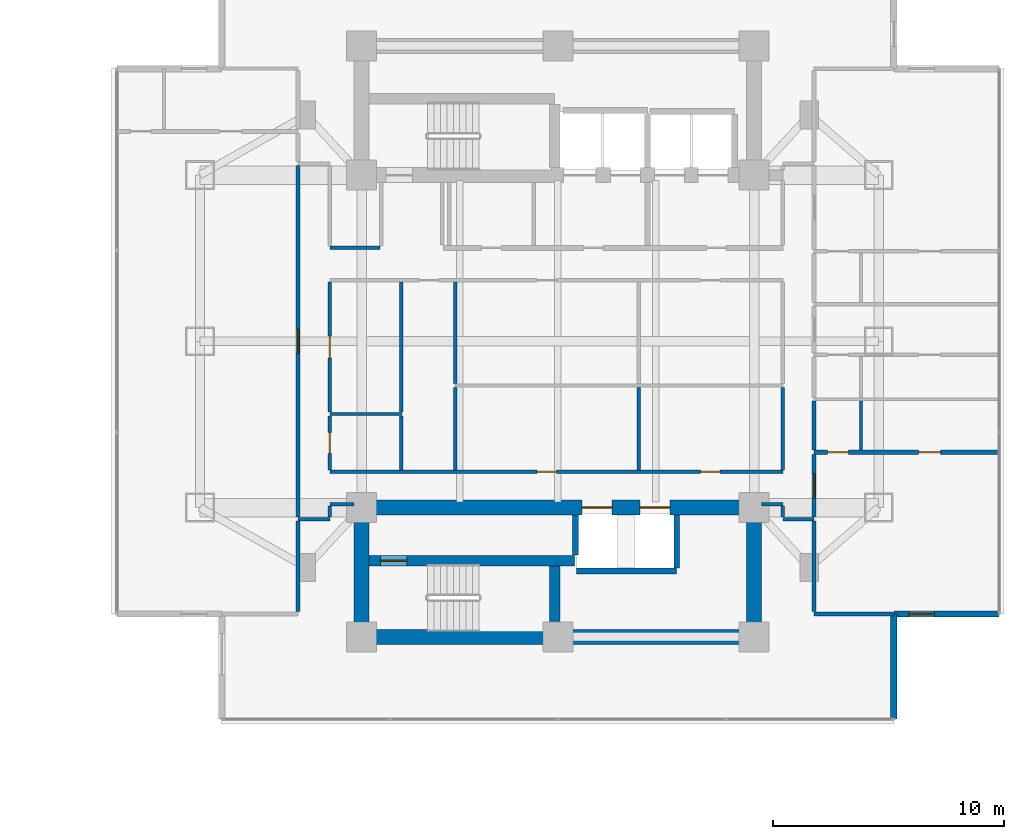
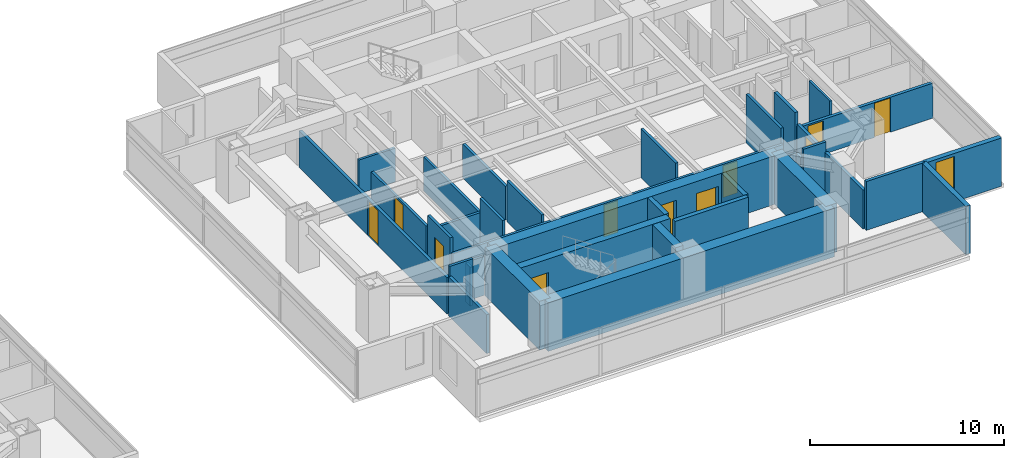
# One storey, part 18 of 27: 36 walls, 11 doors, 1 window, 12 openings.
"""IFC4 building model written with IfcOpenShell, lengths in metres."""

from ifc_helpers import new_model, si_unit, direction, frame, frame_2d, origin, place, context, subcontext, project, spatial, rectangle, extrude, material, layer, layer_set, type_object, element, fill, save


model = new_model("IFC4")

# Units and contexts
model_context = context("Model", 3, precision=1e-05, world=origin(), true_north=direction((0.0, 1.0)))
body_context = subcontext(model_context, "Body", "Model", "MODEL_VIEW")
ifc_project = project(units=[si_unit("LENGTHUNIT", "METRE"), si_unit("AREAUNIT", "SQUARE_METRE"), si_unit("VOLUMEUNIT", "CUBIC_METRE"), si_unit("PLANEANGLEUNIT", "RADIAN"), si_unit("MASSUNIT", "GRAM", prefix="KILO")], contexts=[model_context])

# Site, building, storey
site_placement = place(None, origin())
site = spatial("IfcSite", under=ifc_project, at=site_placement, CompositionType="ELEMENT")
building_placement = place(site_placement, origin())
building = spatial("IfcBuilding", under=site, at=building_placement, Name="Mirazonda Arch Towers", CompositionType="ELEMENT")
storey_placement = place(building_placement, frame((0.0, 0.0, 75.199951171875)))
storey = spatial("IfcBuildingStorey", under=building, at=storey_placement, Name="L21", CompositionType="ELEMENT", Elevation=75.199951171875)

# Wall, opening, door
ifc_material_1 = material(Name="Concrete C50/60", Category="concrete")
ifc_layer_1 = layer(ifc_material_1, 0.449951171875, Name="WALL-CORE-450")
ifc_layer_set_1 = layer_set([ifc_layer_1], Name="Concrete C50/60")
wall_type_1 = type_object("IfcWallType", Name="WALL-CORE-450", PredefinedType="SHEAR", material=ifc_layer_set_1)
wall_1_placement = place(storey_placement, frame((68.320068359375, 18.5, 0.0), z_axis=(0.0, 0.0, 1.0), x_axis=(1.0, 0.0, 0.0)))
wall_1 = element("IfcWall", 1, at=wall_1_placement, inside=storey, type_object=wall_type_1, Name="L21 Stair Core Shear Wall 014", PredefinedType="SHEAR", context=body_context, shape_type="SweptSolid", body=[
    extrude(rectangle(XDim=8.89990234375, YDim=0.449951171875, at=frame_2d((4.449951171875, 0.0))), origin(), (0.0, 0.0, 1.0), 3.06005859375),
])
opening_1_placement = place(wall_1_placement, frame((0.4951171875, 0.0, 0.0)))
opening_1 = element("IfcOpeningElement", 2, at=opening_1_placement, cuts=wall_1, Name="Opening DR-135", PredefinedType="OPENING", context=body_context, shape_type="SweptSolid", body=[
    extrude(rectangle(XDim=1.14990234375, YDim=2.199951171875, at=frame_2d((0.574951171875, 1.10009765625))), frame((0.0, 0.23486328125, 0.0), z_axis=(0.0, -1.0, 0.0), x_axis=(1.0, 0.0, 0.0)), (0.0, 0.0, 1.0), 0.469970703125),
])
ifc_material_2 = material(Name="Architectural Brushed Steel S355", Category="steel")
door_type_1 = type_object("IfcDoorType", Name="DOOR-STAIR-FD90-1150", OperationType="NOTDEFINED", PredefinedType="DOOR", material=ifc_material_2)
door_1_placement = place(opening_1_placement, origin())
door_1 = element("IfcDoor", 3, at=door_1_placement, inside=storey, type_object=door_type_1, Name="L21 East Protected Stair South Door", OperationType="SINGLE_SWING_LEFT", OverallHeight=2.199951171875, OverallWidth=1.14990234375, PredefinedType="DOOR", context=body_context, shape_type="SweptSolid", body=[
    extrude(rectangle(XDim=1.14990234375, YDim=2.199951171875, at=frame_2d((0.574951171875, 1.10009765625))), frame((0.0, 0.02490234375, 0.0), z_axis=(0.0, -1.0, 0.0), x_axis=(1.0, 0.0, 0.0)), (0.0, 0.0, 1.0), 0.050048828125),
])
fill(opening_1, door_1)

# Walls
wall_2_placement = place(storey_placement, frame((76.360107421875, 15.864990234375, 0.0), z_axis=(0.0, 0.0, 1.0), x_axis=(0.0, 1.0, 0.0)))
element("IfcWall", 4, at=wall_2_placement, inside=storey, type_object=wall_type_1, Name="L21 Stair Core Shear Wall 123", PredefinedType="SHEAR", context=body_context, shape_type="SweptSolid", body=[
    extrude(rectangle(XDim=2.39990234375, YDim=0.449951171875, at=frame_2d((1.199951171875, 0.0))), origin(), (0.0, 0.0, 1.0), 3.06005859375),
])
ifc_material_3 = material(Name="Concrete C60/75", Category="concrete")
ifc_layer_2 = layer(ifc_material_3, 0.64990234375, Name="WALL-CORE-650")
ifc_layer_set_2 = layer_set([ifc_layer_2], Name="Concrete C60/75")
wall_type_2 = type_object("IfcWallType", Name="WALL-CORE-650", PredefinedType="SHEAR", material=ifc_layer_set_2)
wall_3_placement = place(storey_placement, frame((68.0, 15.199951171875, 0.0), z_axis=(0.0, 0.0, 1.0), x_axis=(1.0, 0.0, 0.0)))
element("IfcWall", 5, at=wall_3_placement, inside=storey, type_object=wall_type_2, Name="L21 T2S-S Core Shear Wall", PredefinedType="SHEAR", context=body_context, shape_type="SweptSolid", body=[
    extrude(rectangle(XDim=17.0, YDim=0.64990234375, at=frame_2d((8.5, 0.0))), origin(), (0.0, 0.0, 1.0), 3.06005859375),
])
for number, where, z_axis, x_axis, name in (
    (6, (68.0, 15.199951171875, 0.0), (0.0, 0.0, 1.0), (0.0, 1.0, 0.0), "L21 T2S-W Core Shear Wall"),
    (7, (85.0, 15.199951171875, 0.0), (0.0, 0.0, 1.0), (0.0, 1.0, 0.0), "L21 T2S-E Core Shear Wall"),
):
    element("IfcWall", number, at=place(storey_placement, frame(where, z_axis=z_axis, x_axis=x_axis)), inside=storey, type_object=wall_type_2, Name=name, PredefinedType="SHEAR", context=body_context, shape_type="SweptSolid", body=[
        extrude(rectangle(XDim=5.60009765625, YDim=0.64990234375, at=frame_2d((2.800048828125, 0.0))), origin(), (0.0, 0.0, 1.0), 3.06005859375),
    ])

# Wall, openings, doors
wall_4_placement = place(storey_placement, frame((68.0, 20.800048828125, 0.0), z_axis=(0.0, 0.0, 1.0), x_axis=(1.0, 0.0, 0.0)))
wall_4 = element("IfcWall", 8, at=wall_4_placement, inside=storey, type_object=wall_type_2, Name="L21 T2S-N Core Shear Wall", PredefinedType="SHEAR", context=body_context, shape_type="SweptSolid", body=[
    extrude(rectangle(XDim=17.0, YDim=0.64990234375, at=frame_2d((8.5, 0.0))), origin(), (0.0, 0.0, 1.0), 3.06005859375),
])
opening_2_placement = place(wall_4_placement, frame((9.550048828125, 0.0, 0.0)))
opening_2 = element("IfcOpeningElement", 9, at=opening_2_placement, cuts=wall_4, Name="Opening LD-111", PredefinedType="OPENING", context=body_context, shape_type="SweptSolid", body=[
    extrude(rectangle(XDim=1.300048828125, YDim=2.300048828125, at=frame_2d((0.64990234375, 1.14990234375))), frame((0.0, 0.3349609375, 0.0), z_axis=(0.0, -1.0, 0.0), x_axis=(1.0, 0.0, 0.0)), (0.0, 0.0, 1.0), 0.669921875),
])
opening_3_placement = place(wall_4_placement, frame((12.050048828125, 0.0, 0.0)))
opening_3 = element("IfcOpeningElement", 10, at=opening_3_placement, cuts=wall_4, Name="Opening LD-111", PredefinedType="OPENING", context=body_context, shape_type="SweptSolid", body=[
    extrude(rectangle(XDim=1.300048828125, YDim=2.300048828125, at=frame_2d((0.64990234375, 1.14990234375))), frame((0.0, 0.3349609375, 0.0), z_axis=(0.0, -1.0, 0.0), x_axis=(1.0, 0.0, 0.0)), (0.0, 0.0, 1.0), 0.669921875),
])
door_type_2 = type_object("IfcDoorType", Name="DOOR-LIFT-LAND-1300", OperationType="NOTDEFINED", PredefinedType="DOOR", material=ifc_material_2)
door_2_placement = place(opening_2_placement, origin())
door_2 = element("IfcDoor", 11, at=door_2_placement, inside=storey, type_object=door_type_2, Name="L21 Lift Landing Sliding Door PL-T2H1", OperationType="DOUBLE_DOOR_SLIDING", OverallHeight=2.300048828125, OverallWidth=1.300048828125, PredefinedType="DOOR", context=body_context, shape_type="SweptSolid", body=[
    extrude(rectangle(XDim=1.300048828125, YDim=2.300048828125, at=frame_2d((0.64990234375, 1.14990234375))), frame((0.0, 0.02490234375, 0.0), z_axis=(0.0, -1.0, 0.0), x_axis=(1.0, 0.0, 0.0)), (0.0, 0.0, 1.0), 0.050048828125),
])
fill(opening_2, door_2)
door_3_placement = place(opening_3_placement, origin())
door_3 = element("IfcDoor", 12, at=door_3_placement, inside=storey, type_object=door_type_2, Name="L21 Lift Landing Sliding Door PL-T2H2", OperationType="DOUBLE_DOOR_SLIDING", OverallHeight=2.300048828125, OverallWidth=1.300048828125, PredefinedType="DOOR", context=body_context, shape_type="SweptSolid", body=[
    extrude(rectangle(XDim=1.300048828125, YDim=2.300048828125, at=frame_2d((0.64990234375, 1.14990234375))), frame((0.0, 0.02490234375, 0.0), z_axis=(0.0, -1.0, 0.0), x_axis=(1.0, 0.0, 0.0)), (0.0, 0.0, 1.0), 0.050048828125),
])
fill(opening_3, door_3)

# Wall, opening, window
ifc_material_4 = material(Name="Precast Concrete C40/50", Category="concrete")
ifc_layer_3 = layer(ifc_material_4, 0.280029296875, Name="WALL-EXT-WALL-280")
ifc_layer_set_3 = layer_set([ifc_layer_3], Name="Precast Concrete C40/50")
wall_type_3 = type_object("IfcWallType", Name="WALL-EXT-WALL-280", PredefinedType="SOLIDWALL", material=ifc_layer_set_3)
wall_5_placement = place(storey_placement, frame((91.06005859375, 16.18701171875, 0.0), z_axis=(0.0, 0.0, 1.0), x_axis=(1.0, 0.0, 0.0)))
wall_5 = element("IfcWall", 13, at=wall_5_placement, inside=storey, type_object=wall_type_3, Name="L21 T2 Corner Notch Return Wall WL-L21-T2-CSE1", PredefinedType="SOLIDWALL", context=body_context, shape_type="SweptSolid", body=[
    extrude(rectangle(XDim=4.5458984375, YDim=0.280029296875, at=frame_2d((2.27294921875, 0.0))), origin(), (0.0, 0.0, 1.0), 3.0400390625),
])
opening_4_placement = place(wall_5_placement, frame((0.64990234375, 0.0, 0.85009765625)))
opening_4 = element("IfcOpeningElement", 14, at=opening_4_placement, cuts=wall_5, Name="Opening WN-108", PredefinedType="OPENING", context=body_context, shape_type="SweptSolid", body=[
    extrude(rectangle(XDim=1.10009765625, YDim=2.0, at=frame_2d((0.550048828125, 1.0))), frame((0.0, 0.14990234375, 0.0), z_axis=(0.0, -1.0, 0.0), x_axis=(1.0, 0.0, 0.0)), (0.0, 0.0, 1.0), 0.300048828125),
])
ifc_material_5 = material(Name="Insulated Low-E Solar Glass", Category="glass")
window_type = type_object("IfcWindowType", Name="WIN-NOTCH-1100x2000", PartitioningType="SINGLE_PANEL", PredefinedType="WINDOW", material=ifc_material_5)
window_placement = place(opening_4_placement, origin())
window = element("IfcWindow", 15, at=window_placement, inside=storey, type_object=window_type, Name="L21 Punched Facade Window WN-L21-T2-CSE1", OverallHeight=2.0, OverallWidth=1.10009765625, PartitioningType="SINGLE_PANEL", PredefinedType="WINDOW", context=body_context, shape_type="SweptSolid", body=[
    extrude(rectangle(XDim=1.10009765625, YDim=2.0, at=frame_2d((0.550048828125, 1.0))), frame((0.0, 0.030029296875, 0.0), z_axis=(0.0, -1.0, 0.0), x_axis=(1.0, 0.0, 0.0)), (0.0, 0.0, 1.0), 0.06005859375),
])
fill(opening_4, window)

# Walls
wall_6_placement = place(storey_placement, frame((91.06005859375, 11.640869140625, 0.0), z_axis=(0.0, 0.0, 1.0), x_axis=(0.0, 1.0, 0.0)))
element("IfcWall", 16, at=wall_6_placement, inside=storey, type_object=wall_type_3, Name="L21 T2 Corner Notch Return Wall WL-L21-T2-CSE2", PredefinedType="SOLIDWALL", context=body_context, shape_type="SweptSolid", body=[
    extrude(rectangle(XDim=4.546142578125, YDim=0.280029296875, at=frame_2d((2.27294921875, 0.0))), origin(), (0.0, 0.0, 1.0), 3.0400390625),
])
ifc_material_6 = material(Name="Fire-Rated Gypsum Stud Partition")
ifc_layer_4 = layer(ifc_material_6, 0.14990234375, Name="WALL-PART-CORR-150")
ifc_layer_set_4 = layer_set([ifc_layer_4], Name="Fire-Rated Gypsum Stud Partition")
wall_type_4 = type_object("IfcWallType", Name="WALL-PART-CORR-150", PredefinedType="PARTITIONING", material=ifc_layer_set_4)
wall_7_placement = place(storey_placement, frame((65.25, 20.300048828125, 0.0), z_axis=(0.0, 0.0, 1.0), x_axis=(1.0, 0.0, 0.0)))
element("IfcWall", 17, at=wall_7_placement, inside=storey, type_object=wall_type_4, Name="L21 Interior Partition 016", PredefinedType="PARTITIONING", context=body_context, shape_type="SweptSolid", body=[
    extrude(rectangle(XDim=1.3701171875, YDim=0.14990234375, at=frame_2d((0.68505859375, 0.0))), origin(), (0.0, 0.0, 1.0), 3.06005859375),
])
wall_8_placement = place(storey_placement, frame((86.25, 20.300048828125, 0.0), z_axis=(0.0, 0.0, 1.0), x_axis=(1.0, 0.0, 0.0)))
element("IfcWall", 18, at=wall_8_placement, inside=storey, type_object=wall_type_4, Name="L21 Interior Partition 017", PredefinedType="PARTITIONING", context=body_context, shape_type="SweptSolid", body=[
    extrude(rectangle(XDim=1.35009765625, YDim=0.14990234375, at=frame_2d((0.675048828125, 0.0))), origin(), (0.0, 0.0, 1.0), 3.06005859375),
])
wall_9_placement = place(storey_placement, frame((66.6201171875, 20.949951171875, 0.0), z_axis=(0.0, 0.0, 1.0), x_axis=(1.0, 0.0, 0.0)))
element("IfcWall", 19, at=wall_9_placement, inside=storey, type_object=wall_type_4, Name="L21 Interior Partition 018", PredefinedType="PARTITIONING", context=body_context, shape_type="SweptSolid", body=[
    extrude(rectangle(XDim=1.059814453125, YDim=0.14990234375, at=frame_2d((0.52978515625, 0.0))), origin(), (0.0, 0.0, 1.0), 2.4521484375),
])
wall_10_placement = place(storey_placement, frame((85.320068359375, 20.949951171875, 0.0), z_axis=(0.0, 0.0, 1.0), x_axis=(1.0, 0.0, 0.0)))
element("IfcWall", 20, at=wall_10_placement, inside=storey, type_object=wall_type_4, Name="L21 Interior Partition 019", PredefinedType="PARTITIONING", context=body_context, shape_type="SweptSolid", body=[
    extrude(rectangle(XDim=0.929931640625, YDim=0.14990234375, at=frame_2d((0.46484375, 0.0))), origin(), (0.0, 0.0, 1.0), 2.4521484375),
])

# Wall, openings, doors
wall_11_placement = place(storey_placement, frame((66.6201171875, 22.35009765625, 0.0), z_axis=(0.0, 0.0, 1.0), x_axis=(1.0, 0.0, 0.0)))
wall_11 = element("IfcWall", 21, at=wall_11_placement, inside=storey, type_object=wall_type_4, Name="L21 Interior Partition 021", PredefinedType="PARTITIONING", context=body_context, shape_type="SweptSolid", body=[
    extrude(rectangle(XDim=19.6298828125, YDim=0.14990234375, at=frame_2d((9.81494140625, 0.0))), origin(), (0.0, 0.0, 1.0), 2.125),
])
opening_5_placement = place(wall_11_placement, frame((8.98095703125, 0.0, 0.0)))
opening_5 = element("IfcOpeningElement", 22, at=opening_5_placement, cuts=wall_11, Name="Opening DR-128", PredefinedType="OPENING", context=body_context, shape_type="SweptSolid", body=[
    extrude(rectangle(XDim=0.85009765625, YDim=2.010009765625, at=frame_2d((0.425048828125, 1.0048828125))), frame((0.0, 0.0849609375, 0.0), z_axis=(0.0, -1.0, 0.0), x_axis=(1.0, 0.0, 0.0)), (0.0, 0.0, 1.0), 0.169921875),
])
opening_6_placement = place(wall_11_placement, frame((16.06103515625, 0.0, 0.0)))
opening_6 = element("IfcOpeningElement", 23, at=opening_6_placement, cuts=wall_11, Name="Opening DR-128", PredefinedType="OPENING", context=body_context, shape_type="SweptSolid", body=[
    extrude(rectangle(XDim=0.85009765625, YDim=2.010009765625, at=frame_2d((0.425048828125, 1.0048828125))), frame((0.0, 0.0849609375, 0.0), z_axis=(0.0, -1.0, 0.0), x_axis=(1.0, 0.0, 0.0)), (0.0, 0.0, 1.0), 0.169921875),
])
door_type_3 = type_object("IfcDoorType", Name="DOOR-RISER-FD60-850", OperationType="NOTDEFINED", PredefinedType="DOOR", material=ifc_material_2)
door_4_placement = place(opening_5_placement, origin())
door_4 = element("IfcDoor", 24, at=door_4_placement, inside=storey, type_object=door_type_3, Name="L21 Executive Club Lounge Door", OperationType="SINGLE_SWING_LEFT", OverallHeight=2.010009765625, OverallWidth=0.85009765625, PredefinedType="DOOR", context=body_context, shape_type="SweptSolid", body=[
    extrude(rectangle(XDim=0.85009765625, YDim=2.010009765625, at=frame_2d((0.425048828125, 1.0048828125))), frame((0.0, 0.02490234375, 0.0), z_axis=(0.0, -1.0, 0.0), x_axis=(1.0, 0.0, 0.0)), (0.0, 0.0, 1.0), 0.050048828125),
])
fill(opening_5, door_4)
door_5_placement = place(opening_6_placement, origin())
door_5 = element("IfcDoor", 25, at=door_5_placement, inside=storey, type_object=door_type_3, Name="L21 Business Reading Study Door", OperationType="SINGLE_SWING_RIGHT", OverallHeight=2.010009765625, OverallWidth=0.85009765625, PredefinedType="DOOR", context=body_context, shape_type="SweptSolid", body=[
    extrude(rectangle(XDim=0.85009765625, YDim=2.010009765625, at=frame_2d((0.425048828125, 1.0048828125))), frame((0.0, 0.02490234375, 0.0), z_axis=(0.0, -1.0, 0.0), x_axis=(1.0, 0.0, 0.0)), (0.0, 0.0, 1.0), 0.050048828125),
])
fill(opening_6, door_5)

# Walls
wall_12_placement = place(storey_placement, frame((66.6201171875, 24.85009765625, 0.0), z_axis=(0.0, 0.0, 1.0), x_axis=(1.0, 0.0, 0.0)))
element("IfcWall", 26, at=wall_12_placement, inside=storey, type_object=wall_type_4, Name="L21 Interior Partition 025", PredefinedType="PARTITIONING", context=body_context, shape_type="SweptSolid", body=[
    extrude(rectangle(XDim=3.1298828125, YDim=0.14990234375, at=frame_2d((1.56494140625, 0.0))), origin(), (0.0, 0.0, 1.0), 2.125),
])
wall_13_placement = place(storey_placement, frame((66.6201171875, 32.050048828125, 0.0), z_axis=(0.0, 0.0, 1.0), x_axis=(1.0, 0.0, 0.0)))
element("IfcWall", 27, at=wall_13_placement, inside=storey, type_object=wall_type_4, Name="L21 Interior Partition 037", PredefinedType="PARTITIONING", context=body_context, shape_type="SweptSolid", body=[
    extrude(rectangle(XDim=2.179931640625, YDim=0.14990234375, at=frame_2d((1.08984375, 0.0))), origin(), (0.0, 0.0, 1.0), 2.125),
])
wall_14_placement = place(storey_placement, frame((66.6201171875, 20.385009765625, 0.0), z_axis=(0.0, 0.0, 1.0), x_axis=(0.0, 1.0, 0.0)))
element("IfcWall", 28, at=wall_14_placement, inside=storey, type_object=wall_type_4, Name="L21 Interior Partition 111", PredefinedType="PARTITIONING", context=body_context, shape_type="SweptSolid", body=[
    extrude(rectangle(XDim=0.47998046875, YDim=0.14990234375, at=frame_2d((0.239990234375, 0.0))), origin(), (0.0, 0.0, 1.0), 2.4521484375),
])

# Wall, opening, door
wall_15_placement = place(storey_placement, frame((66.6201171875, 22.43505859375, 0.0), z_axis=(0.0, 0.0, 1.0), x_axis=(0.0, 1.0, 0.0)))
wall_15 = element("IfcWall", 29, at=wall_15_placement, inside=storey, type_object=wall_type_4, Name="L21 Interior Partition 112", PredefinedType="PARTITIONING", context=body_context, shape_type="SweptSolid", body=[
    extrude(rectangle(XDim=2.329833984375, YDim=0.14990234375, at=frame_2d((1.1650390625, 0.0))), origin(), (0.0, 0.0, 1.0), 3.06005859375),
])
opening_7_placement = place(wall_15_placement, frame((0.715087890625, 0.0, 0.0)))
opening_7 = element("IfcOpeningElement", 30, at=opening_7_placement, cuts=wall_15, Name="Opening DR-120", PredefinedType="OPENING", context=body_context, shape_type="SweptSolid", body=[
    extrude(rectangle(XDim=0.89990234375, YDim=2.10009765625, at=frame_2d((0.449951171875, 1.050048828125))), frame((0.0, 0.0849609375, 0.0), z_axis=(0.0, -1.0, 0.0), x_axis=(1.0, 0.0, 0.0)), (0.0, 0.0, 1.0), 0.169921875),
])
door_type_4 = type_object("IfcDoorType", Name="DOOR-WC-900", OperationType="NOTDEFINED", PredefinedType="DOOR", material=ifc_material_2)
door_6_placement = place(opening_7_placement, origin())
door_6 = element("IfcDoor", 31, at=door_6_placement, inside=storey, type_object=door_type_4, Name="L21 Tower 2 Common Accessible WC Door", OperationType="SINGLE_SWING_RIGHT", OverallHeight=2.10009765625, OverallWidth=0.89990234375, PredefinedType="DOOR", context=body_context, shape_type="SweptSolid", body=[
    extrude(rectangle(XDim=0.89990234375, YDim=2.10009765625, at=frame_2d((0.449951171875, 1.050048828125))), frame((0.0, 0.02490234375, 0.0), z_axis=(0.0, -1.0, 0.0), x_axis=(1.0, 0.0, 0.0)), (0.0, 0.0, 1.0), 0.050048828125),
])
fill(opening_7, door_6)

wall_16_placement = place(storey_placement, frame((66.6201171875, 24.93505859375, 0.0), z_axis=(0.0, 0.0, 1.0), x_axis=(0.0, 1.0, 0.0)))
wall_16 = element("IfcWall", 32, at=wall_16_placement, inside=storey, type_object=wall_type_4, Name="L21 Interior Partition 113", PredefinedType="PARTITIONING", context=body_context, shape_type="SweptSolid", body=[
    extrude(rectangle(XDim=5.6298828125, YDim=0.14990234375, at=frame_2d((2.81494140625, 0.0))), origin(), (0.0, 0.0, 1.0), 2.279052734375),
])
opening_8_placement = place(wall_16_placement, frame((2.340087890625, 0.0, 0.0)))
opening_8 = element("IfcOpeningElement", 33, at=opening_8_placement, cuts=wall_16, Name="Opening DR-104", PredefinedType="OPENING", context=body_context, shape_type="SweptSolid", body=[
    extrude(rectangle(XDim=0.949951171875, YDim=2.14990234375, at=frame_2d((0.47509765625, 1.074951171875))), frame((0.0, 0.0849609375, 0.0), z_axis=(0.0, -1.0, 0.0), x_axis=(1.0, 0.0, 0.0)), (0.0, 0.0, 1.0), 0.169921875),
])
door_type_5 = type_object("IfcDoorType", Name="DOOR-ROOM-950", OperationType="NOTDEFINED", PredefinedType="DOOR", material=ifc_material_2)
door_7_placement = place(opening_8_placement, origin())
door_7 = element("IfcDoor", 34, at=door_7_placement, inside=storey, type_object=door_type_5, Name="L21 L21 East Courtyard Reading Study Door", OperationType="SINGLE_SWING_LEFT", OverallHeight=2.14990234375, OverallWidth=0.949951171875, PredefinedType="DOOR", context=body_context, shape_type="SweptSolid", body=[
    extrude(rectangle(XDim=0.949951171875, YDim=2.14990234375, at=frame_2d((0.47509765625, 1.074951171875))), frame((0.0, 0.02490234375, 0.0), z_axis=(0.0, -1.0, 0.0), x_axis=(1.0, 0.0, 0.0)), (0.0, 0.0, 1.0), 0.050048828125),
])
fill(opening_8, door_7)

# Walls
wall_17_placement = place(storey_placement, frame((69.723388671875, 22.43505859375, 0.0), z_axis=(0.0, 0.0, 1.0), x_axis=(0.0, 1.0, 0.0)))
element("IfcWall", 35, at=wall_17_placement, inside=storey, type_object=wall_type_4, Name="L21 Interior Partition 116", PredefinedType="PARTITIONING", context=body_context, shape_type="SweptSolid", body=[
    extrude(rectangle(XDim=2.329833984375, YDim=0.14990234375, at=frame_2d((1.1650390625, 0.0))), origin(), (0.0, 0.0, 1.0), 3.06005859375),
])
wall_18_placement = place(storey_placement, frame((69.723388671875, 24.93505859375, 0.0), z_axis=(0.0, 0.0, 1.0), x_axis=(0.0, 1.0, 0.0)))
element("IfcWall", 36, at=wall_18_placement, inside=storey, type_object=wall_type_4, Name="L21 Interior Partition 117", PredefinedType="PARTITIONING", context=body_context, shape_type="SweptSolid", body=[
    extrude(rectangle(XDim=5.6298828125, YDim=0.14990234375, at=frame_2d((2.81494140625, 0.0))), origin(), (0.0, 0.0, 1.0), 2.125),
])
wall_19_placement = place(storey_placement, frame((72.050048828125, 22.43505859375, 0.0), z_axis=(0.0, 0.0, 1.0), x_axis=(0.0, 1.0, 0.0)))
element("IfcWall", 37, at=wall_19_placement, inside=storey, type_object=wall_type_4, Name="L21 Interior Partition 120", PredefinedType="PARTITIONING", context=body_context, shape_type="SweptSolid", body=[
    extrude(rectangle(XDim=3.56494140625, YDim=0.14990234375, at=frame_2d((1.782470703125, 0.0))), origin(), (0.0, 0.0, 1.0), 2.589111328125),
])
wall_20_placement = place(storey_placement, frame((72.050048828125, 26.169921875, 0.0), z_axis=(0.0, 0.0, 1.0), x_axis=(0.0, 1.0, 0.0)))
element("IfcWall", 38, at=wall_20_placement, inside=storey, type_object=wall_type_4, Name="L21 Interior Partition 121", PredefinedType="PARTITIONING", context=body_context, shape_type="SweptSolid", body=[
    extrude(rectangle(XDim=4.39501953125, YDim=0.14990234375, at=frame_2d((2.197509765625, 0.0))), origin(), (0.0, 0.0, 1.0), 2.125),
])
wall_21_placement = place(storey_placement, frame((80.001953125, 22.43505859375, 0.0), z_axis=(0.0, 0.0, 1.0), x_axis=(0.0, 1.0, 0.0)))
element("IfcWall", 39, at=wall_21_placement, inside=storey, type_object=wall_type_4, Name="L21 Interior Partition 126", PredefinedType="PARTITIONING", context=body_context, shape_type="SweptSolid", body=[
    extrude(rectangle(XDim=3.56494140625, YDim=0.14990234375, at=frame_2d((1.782470703125, 0.0))), origin(), (0.0, 0.0, 1.0), 3.06005859375),
])
wall_22_placement = place(storey_placement, frame((86.25, 20.385009765625, 0.0), z_axis=(0.0, 0.0, 1.0), x_axis=(0.0, 1.0, 0.0)))
element("IfcWall", 40, at=wall_22_placement, inside=storey, type_object=wall_type_4, Name="L21 Interior Partition 132", PredefinedType="PARTITIONING", context=body_context, shape_type="SweptSolid", body=[
    extrude(rectangle(XDim=0.47998046875, YDim=0.14990234375, at=frame_2d((0.239990234375, 0.0))), origin(), (0.0, 0.0, 1.0), 2.4521484375),
])
wall_23_placement = place(storey_placement, frame((86.25, 22.43505859375, 0.0), z_axis=(0.0, 0.0, 1.0), x_axis=(0.0, 1.0, 0.0)))
element("IfcWall", 41, at=wall_23_placement, inside=storey, type_object=wall_type_4, Name="L21 Interior Partition 133", PredefinedType="PARTITIONING", context=body_context, shape_type="SweptSolid", body=[
    extrude(rectangle(XDim=3.56494140625, YDim=0.14990234375, at=frame_2d((1.782470703125, 0.0))), origin(), (0.0, 0.0, 1.0), 3.06005859375),
])
ifc_material_7 = material(Name="Fire-Rated Gypsum Twin-Stud Assembly")
ifc_layer_5 = layer(ifc_material_7, 0.179931640625, Name="WALL-PART-DEMISE-180")
ifc_layer_set_5 = layer_set([ifc_layer_5], Name="Fire-Rated Gypsum Twin-Stud Assembly")
wall_type_5 = type_object("IfcWallType", Name="WALL-PART-DEMISE-180", PredefinedType="PARTITIONING", material=ifc_layer_set_5)
wall_24_placement = place(storey_placement, frame((87.60009765625, 16.18701171875, 0.0), z_axis=(0.0, 0.0, 1.0), x_axis=(1.0, 0.0, 0.0)))
element("IfcWall", 42, at=wall_24_placement, inside=storey, type_object=wall_type_5, Name="L21 Interior Partition 010", PredefinedType="PARTITIONING", context=body_context, shape_type="SweptSolid", body=[
    extrude(rectangle(XDim=3.43994140625, YDim=0.179931640625, at=frame_2d((1.719970703125, 0.0))), origin(), (0.0, 0.0, 1.0), 3.06005859375),
])

# Wall, openings, doors
wall_25_placement = place(storey_placement, frame((87.60009765625, 23.19189453125, 0.0), z_axis=(0.0, 0.0, 1.0), x_axis=(1.0, 0.0, 0.0)))
wall_25 = element("IfcWall", 43, at=wall_25_placement, inside=storey, type_object=wall_type_5, Name="L21 Interior Partition 023", PredefinedType="PARTITIONING", context=body_context, shape_type="SweptSolid", body=[
    extrude(rectangle(XDim=8.005859375, YDim=0.179931640625, at=frame_2d((4.0029296875, 0.0))), origin(), (0.0, 0.0, 1.0), 2.196044921875),
])
opening_9_placement = place(wall_25_placement, frame((4.528076171875, 0.0, 0.0)))
opening_9 = element("IfcOpeningElement", 44, at=opening_9_placement, cuts=wall_25, Name="Opening DR-104", PredefinedType="OPENING", context=body_context, shape_type="SweptSolid", body=[
    extrude(rectangle(XDim=0.949951171875, YDim=2.14990234375, at=frame_2d((0.47509765625, 1.074951171875))), frame((0.0, 0.099853515625, 0.0), z_axis=(0.0, -1.0, 0.0), x_axis=(1.0, 0.0, 0.0)), (0.0, 0.0, 1.0), 0.199951171875),
])
opening_10_placement = place(wall_25_placement, frame((0.590087890625, 0.0, 0.0)))
opening_10 = element("IfcOpeningElement", 45, at=opening_10_placement, cuts=wall_25, Name="Opening DR-120", PredefinedType="OPENING", context=body_context, shape_type="SweptSolid", body=[
    extrude(rectangle(XDim=0.89990234375, YDim=2.10009765625, at=frame_2d((0.449951171875, 1.050048828125))), frame((0.0, 0.099853515625, 0.0), z_axis=(0.0, -1.0, 0.0), x_axis=(1.0, 0.0, 0.0)), (0.0, 0.0, 1.0), 0.199951171875),
])
door_8_placement = place(opening_9_placement, origin())
door_8 = element("IfcDoor", 46, at=door_8_placement, inside=storey, type_object=door_type_5, Name="L21 Guestroom Study 1 Door", OperationType="SINGLE_SWING_LEFT", OverallHeight=2.14990234375, OverallWidth=0.949951171875, PredefinedType="DOOR", context=body_context, shape_type="SweptSolid", body=[
    extrude(rectangle(XDim=0.949951171875, YDim=2.14990234375, at=frame_2d((0.47509765625, 1.074951171875))), frame((0.0, 0.02490234375, 0.0), z_axis=(0.0, -1.0, 0.0), x_axis=(1.0, 0.0, 0.0)), (0.0, 0.0, 1.0), 0.050048828125),
])
fill(opening_9, door_8)
door_9_placement = place(opening_10_placement, origin())
door_9 = element("IfcDoor", 47, at=door_9_placement, inside=storey, type_object=door_type_4, Name="L21 En-Suite Bathroom 1 Door", OperationType="SINGLE_SWING_RIGHT", OverallHeight=2.10009765625, OverallWidth=0.89990234375, PredefinedType="DOOR", context=body_context, shape_type="SweptSolid", body=[
    extrude(rectangle(XDim=0.89990234375, YDim=2.10009765625, at=frame_2d((0.449951171875, 1.050048828125))), frame((0.0, 0.02490234375, 0.0), z_axis=(0.0, -1.0, 0.0), x_axis=(1.0, 0.0, 0.0)), (0.0, 0.0, 1.0), 0.050048828125),
])
fill(opening_10, door_9)

# Wall
wall_26_placement = place(storey_placement, frame((65.25, 16.287109375, 0.0), z_axis=(0.0, 0.0, 1.0), x_axis=(0.0, 1.0, 0.0)))
element("IfcWall", 48, at=wall_26_placement, inside=storey, type_object=wall_type_5, Name="L21 Interior Partition 107", PredefinedType="PARTITIONING", context=body_context, shape_type="SweptSolid", body=[
    extrude(rectangle(XDim=3.927978515625, YDim=0.179931640625, at=frame_2d((1.9638671875, 0.0))), origin(), (0.0, 0.0, 1.0), 2.43603515625),
])

# Wall, opening, door
wall_27_placement = place(storey_placement, frame((65.25, 20.385009765625, 0.0), z_axis=(0.0, 0.0, 1.0), x_axis=(0.0, 1.0, 0.0)))
wall_27 = element("IfcWall", 49, at=wall_27_placement, inside=storey, type_object=wall_type_5, Name="L21 Interior Partition 108", PredefinedType="PARTITIONING", context=body_context, shape_type="SweptSolid", body=[
    extrude(rectangle(XDim=15.22998046875, YDim=0.179931640625, at=frame_2d((7.614990234375, 0.0))), origin(), (0.0, 0.0, 1.0), 2.279052734375),
])
opening_11_placement = place(wall_27_placement, frame((7.090087890625, 0.0, 0.0)))
opening_11 = element("IfcOpeningElement", 50, at=opening_11_placement, cuts=wall_27, Name="Opening DR-121", PredefinedType="OPENING", context=body_context, shape_type="SweptSolid", body=[
    extrude(rectangle(XDim=1.050048828125, YDim=2.199951171875, at=frame_2d((0.52490234375, 1.10009765625))), frame((0.0, 0.099853515625, 0.0), z_axis=(0.0, -1.0, 0.0), x_axis=(1.0, 0.0, 0.0)), (0.0, 0.0, 1.0), 0.199951171875),
])
door_type_6 = type_object("IfcDoorType", Name="DOOR-SUITE-FD60-1050", OperationType="NOTDEFINED", PredefinedType="DOOR", material=ifc_material_2)
door_10_placement = place(opening_11_placement, origin())
door_10 = element("IfcDoor", 51, at=door_10_placement, inside=storey, type_object=door_type_6, Name="L21 Presidential Hotel Suite 1 Door", OperationType="SINGLE_SWING_LEFT", OverallHeight=2.199951171875, OverallWidth=1.050048828125, PredefinedType="DOOR", context=body_context, shape_type="SweptSolid", body=[
    extrude(rectangle(XDim=1.050048828125, YDim=2.199951171875, at=frame_2d((0.52490234375, 1.10009765625))), frame((0.0, 0.02490234375, 0.0), z_axis=(0.0, -1.0, 0.0), x_axis=(1.0, 0.0, 0.0)), (0.0, 0.0, 1.0), 0.050048828125),
])
fill(opening_11, door_10)

# Wall
wall_28_placement = place(storey_placement, frame((87.60009765625, 16.287109375, 0.0), z_axis=(0.0, 0.0, 1.0), x_axis=(0.0, 1.0, 0.0)))
element("IfcWall", 52, at=wall_28_placement, inside=storey, type_object=wall_type_5, Name="L21 Interior Partition 137", PredefinedType="PARTITIONING", context=body_context, shape_type="SweptSolid", body=[
    extrude(rectangle(XDim=3.927978515625, YDim=0.179931640625, at=frame_2d((1.9638671875, 0.0))), origin(), (0.0, 0.0, 1.0), 2.43603515625),
])

# Wall, opening, door
wall_29_placement = place(storey_placement, frame((87.60009765625, 20.385009765625, 0.0), z_axis=(0.0, 0.0, 1.0), x_axis=(0.0, 1.0, 0.0)))
wall_29 = element("IfcWall", 53, at=wall_29_placement, inside=storey, type_object=wall_type_5, Name="L21 Interior Partition 138", PredefinedType="PARTITIONING", context=body_context, shape_type="SweptSolid", body=[
    extrude(rectangle(XDim=2.70703125, YDim=0.179931640625, at=frame_2d((1.353515625, 0.0))), origin(), (0.0, 0.0, 1.0), 2.4521484375),
])
opening_12_placement = place(wall_29_placement, frame((0.82861328125, 0.0, 0.0)))
opening_12 = element("IfcOpeningElement", 54, at=opening_12_placement, cuts=wall_29, Name="Opening DR-121", PredefinedType="OPENING", context=body_context, shape_type="SweptSolid", body=[
    extrude(rectangle(XDim=1.050048828125, YDim=2.199951171875, at=frame_2d((0.52490234375, 1.10009765625))), frame((0.0, 0.099853515625, 0.0), z_axis=(0.0, -1.0, 0.0), x_axis=(1.0, 0.0, 0.0)), (0.0, 0.0, 1.0), 0.199951171875),
])
door_11_placement = place(opening_12_placement, origin())
door_11 = element("IfcDoor", 55, at=door_11_placement, inside=storey, type_object=door_type_6, Name="L21 King Hotel Guestroom 1 Door", OperationType="SINGLE_SWING_RIGHT", OverallHeight=2.199951171875, OverallWidth=1.050048828125, PredefinedType="DOOR", context=body_context, shape_type="SweptSolid", body=[
    extrude(rectangle(XDim=1.050048828125, YDim=2.199951171875, at=frame_2d((0.52490234375, 1.10009765625))), frame((0.0, 0.02490234375, 0.0), z_axis=(0.0, -1.0, 0.0), x_axis=(1.0, 0.0, 0.0)), (0.0, 0.0, 1.0), 0.050048828125),
])
fill(opening_12, door_11)

# Walls
wall_30_placement = place(storey_placement, frame((87.60009765625, 23.2919921875, 0.0), z_axis=(0.0, 0.0, 1.0), x_axis=(0.0, 1.0, 0.0)))
element("IfcWall", 56, at=wall_30_placement, inside=storey, type_object=wall_type_5, Name="L21 Interior Partition 139", PredefinedType="PARTITIONING", context=body_context, shape_type="SweptSolid", body=[
    extrude(rectangle(XDim=2.12744140625, YDim=0.179931640625, at=frame_2d((1.063720703125, 0.0))), origin(), (0.0, 0.0, 1.0), 3.06005859375),
])
ifc_material_8 = material(Name="Acoustic Fire-Rated Gypsum Partition")
ifc_layer_6 = layer(ifc_material_8, 0.125, Name="WALL-PART-UNIT-125")
ifc_layer_set_6 = layer_set([ifc_layer_6], Name="Acoustic Fire-Rated Gypsum Partition")
wall_type_6 = type_object("IfcWallType", Name="WALL-PART-UNIT-125", PredefinedType="PARTITIONING", material=ifc_layer_set_6)
wall_31_placement = place(storey_placement, frame((89.639892578125, 23.2919921875, 0.0), z_axis=(0.0, 0.0, 1.0), x_axis=(0.0, 1.0, 0.0)))
element("IfcWall", 57, at=wall_31_placement, inside=storey, type_object=wall_type_6, Name="L21 Interior Partition 145", PredefinedType="PARTITIONING", context=body_context, shape_type="SweptSolid", body=[
    extrude(rectangle(XDim=2.12744140625, YDim=0.125, at=frame_2d((1.063720703125, 0.0))), origin(), (0.0, 0.0, 1.0), 3.06005859375),
])
ifc_material_9 = material(Name="Concrete C40/50", Category="concrete")
ifc_layer_7 = layer(ifc_material_9, 0.25, Name="WALL-SHAFT-250")
ifc_layer_set_7 = layer_set([ifc_layer_7], Name="Concrete C40/50")
wall_type_7 = type_object("IfcWallType", Name="WALL-SHAFT-250", PredefinedType="SOLIDWALL", material=ifc_layer_set_7)
wall_32_placement = place(storey_placement, frame((77.300048828125, 18.050048828125, 0.0), z_axis=(0.0, 0.0, 1.0), x_axis=(1.0, 0.0, 0.0)))
element("IfcWall", 58, at=wall_32_placement, inside=storey, type_object=wall_type_7, Name="L21 Interior Partition 011", PredefinedType="SOLIDWALL", context=body_context, shape_type="SweptSolid", body=[
    extrude(rectangle(XDim=4.349853515625, YDim=0.25, at=frame_2d((2.1748046875, 0.0))), origin(), (0.0, 0.0, 1.0), 3.06005859375),
])
wall_33_placement = place(storey_placement, frame((77.260009765625, 18.735107421875, 0.0), z_axis=(0.0, 0.0, 1.0), x_axis=(0.0, 1.0, 0.0)))
element("IfcWall", 59, at=wall_33_placement, inside=storey, type_object=wall_type_7, Name="L21 Interior Partition 125", PredefinedType="SOLIDWALL", context=body_context, shape_type="SweptSolid", body=[
    extrude(rectangle(XDim=1.744873046875, YDim=0.25, at=frame_2d((0.87255859375, 0.0))), origin(), (0.0, 0.0, 1.0), 3.06005859375),
])
wall_34_placement = place(storey_placement, frame((81.64990234375, 18.18505859375, 0.0), z_axis=(0.0, 0.0, 1.0), x_axis=(0.0, 1.0, 0.0)))
element("IfcWall", 60, at=wall_34_placement, inside=storey, type_object=wall_type_7, Name="L21 Interior Partition 130", PredefinedType="SOLIDWALL", context=body_context, shape_type="SweptSolid", body=[
    extrude(rectangle(XDim=2.294921875, YDim=0.25, at=frame_2d((1.1474609375, 0.0))), origin(), (0.0, 0.0, 1.0), 3.06005859375),
])

save(model, "model.ifc")
